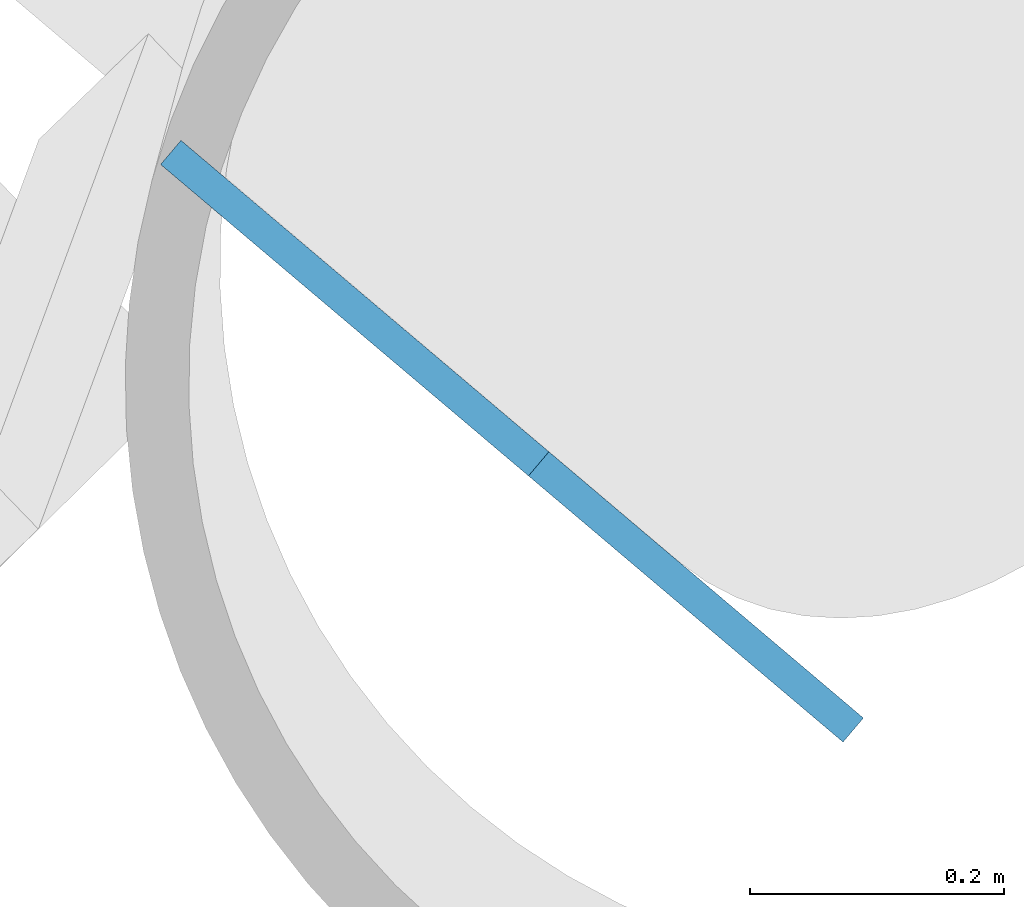
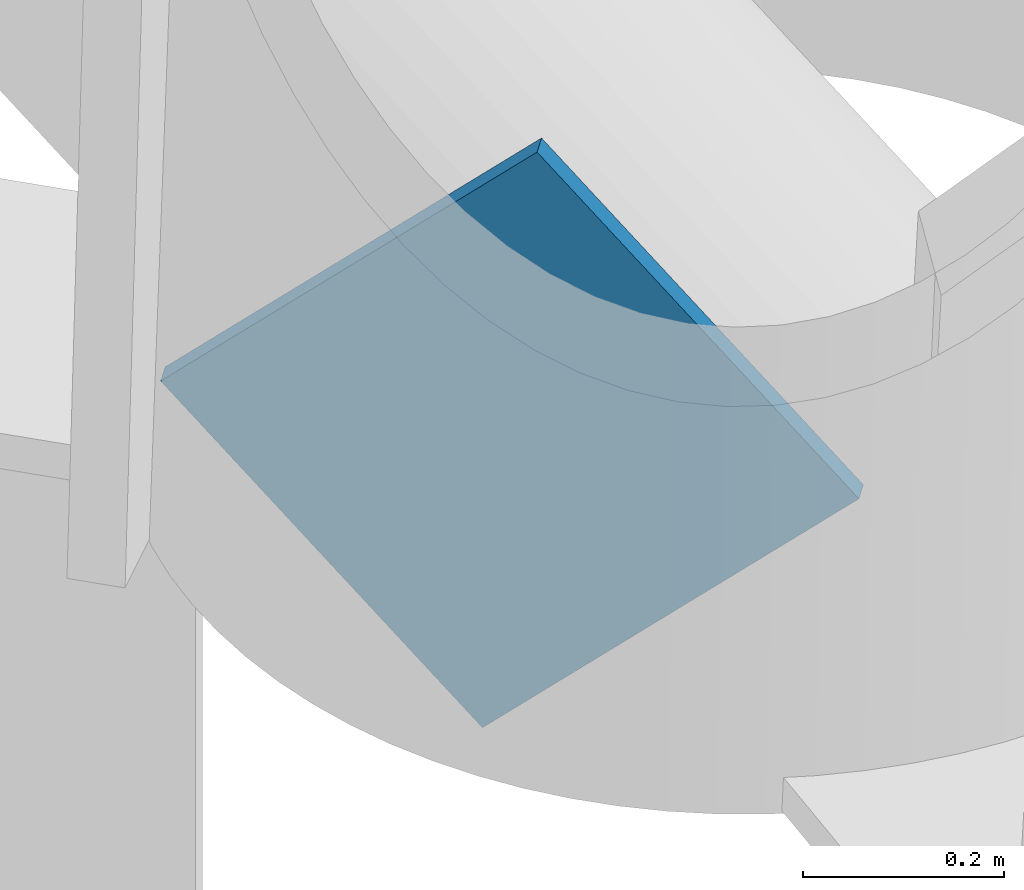
# One storey, part 10 of 22: 1 discrete accessory.
"""IFC4 building model written with IfcOpenShell, lengths in metres."""

from ifc_helpers import new_model, si_unit, direction, frame, origin, origin_2d, place, context, subcontext, project, spatial, rectangle, extrude, material, material_profile, profile_set, type_object, element, save


model = new_model("IFC4")

# Units and contexts
model_context = context("Model", 3, precision=1e-05, world=origin(), true_north=direction((0.0, 1.0)))
body_context = subcontext(model_context, "Body", "Model", "MODEL_VIEW")
ifc_project = project(units=[si_unit("LENGTHUNIT", "METRE"), si_unit("AREAUNIT", "SQUARE_METRE"), si_unit("VOLUMEUNIT", "CUBIC_METRE"), si_unit("PLANEANGLEUNIT", "RADIAN"), si_unit("MASSUNIT", "GRAM", prefix="KILO")], contexts=[model_context])

# Site, building, storey
site_placement = place(None, origin())
site = spatial("IfcSite", under=ifc_project, at=site_placement, CompositionType="ELEMENT")
building_placement = place(site_placement, origin())
building = spatial("IfcBuilding", under=site, at=building_placement, Name="Tarsis Ring Headquarters", CompositionType="ELEMENT")
storey_placement = place(building_placement, frame((0.0, 0.0, 71.199951171875)))
storey = spatial("IfcBuildingStorey", under=building, at=storey_placement, Name="L15", CompositionType="ELEMENT", Elevation=71.199951171875)

# Discrete accessory
ifc_material = material(Name="Structural steel S355", Category="steel")
ifc_material_profile = material_profile(ifc_material, rectangle(XDim=0.02490234375, YDim=0.5, at=origin_2d()), Name="PL 25x500")
ifc_profile_set = profile_set([ifc_material_profile], Name="Structural steel S355")
discrete_accessory_type = type_object("IfcDiscreteAccessoryType", Name="Gusset plate Exo brace 25", PredefinedType="BRACKET", material=ifc_profile_set)
discrete_accessory_placement = place(storey_placement, frame((-28.214599609375, 7.457275390625, 0.0), z_axis=(-0.495987274979, 0.419831748506, 0.760090735376), x_axis=(-0.64607693871, -0.763272290383, 0.0)))
element("IfcDiscreteAccessory", 1, at=discrete_accessory_placement, inside=storey, type_object=discrete_accessory_type, Name="Gusset plate GP5", PredefinedType="BRACKET", context=body_context, shape_type="SweptSolid", body=[
    extrude(rectangle(XDim=0.02490234375, YDim=0.5, at=origin_2d()), origin(), (0.0, 0.0, 1.0), 0.5),
])

save(model, "model.ifc")
